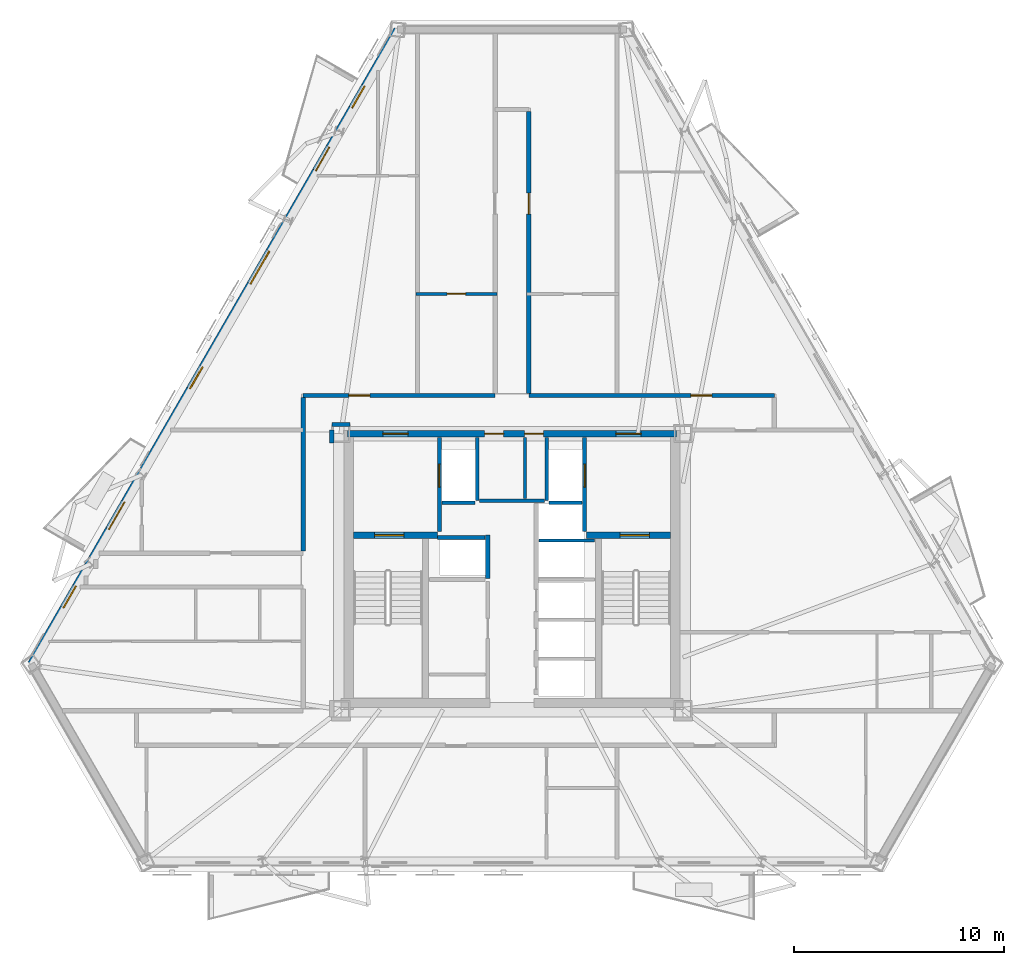
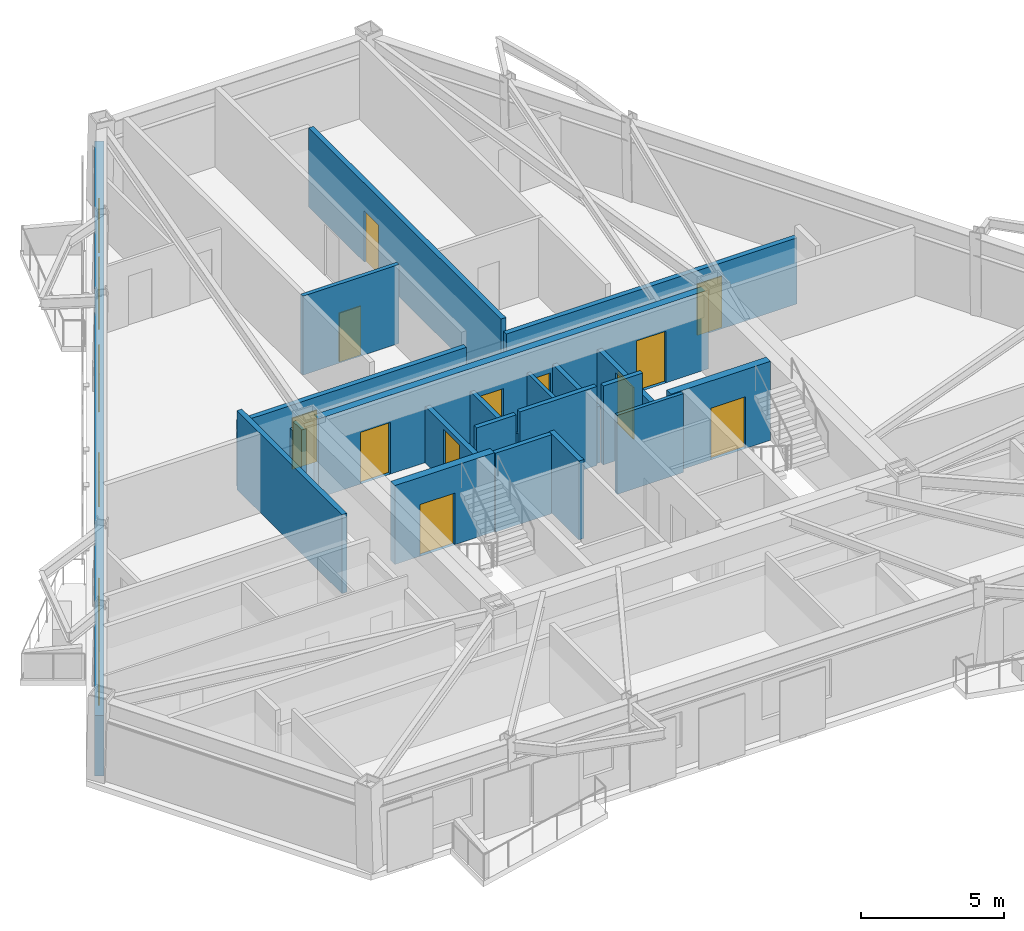
# One storey, part 4 of 9: 22 walls, 14 doors, 4 windows, 18 openings.
"""IFC4 building model written with IfcOpenShell, lengths in metres."""

from ifc_helpers import new_model, si_unit, direction, frame, frame_2d, origin, place, context, subcontext, project, spatial, rectangle, extrude, material, layer, layer_set, type_object, element, fill, save


model = new_model("IFC4")

# Units and contexts
model_context = context("Model", 3, precision=1e-05, world=origin(), true_north=direction((0.0, 1.0)))
body_context = subcontext(model_context, "Body", "Model", "MODEL_VIEW")
ifc_project = project(units=[si_unit("LENGTHUNIT", "METRE"), si_unit("AREAUNIT", "SQUARE_METRE"), si_unit("VOLUMEUNIT", "CUBIC_METRE"), si_unit("PLANEANGLEUNIT", "RADIAN"), si_unit("MASSUNIT", "GRAM", prefix="KILO")], contexts=[model_context])

# Site, building, storey
site_placement = place(None, origin())
site = spatial("IfcSite", under=ifc_project, at=site_placement, CompositionType="ELEMENT")
building_placement = place(site_placement, origin())
building = spatial("IfcBuilding", under=site, at=building_placement, Name="Oramaril Tower", CompositionType="ELEMENT")
storey_placement = place(building_placement, frame((0.0, 0.0, 119.39990234375)))
storey = spatial("IfcBuildingStorey", under=building, at=storey_placement, Name="L31", CompositionType="ELEMENT", Elevation=119.39990234375)

# Wall, openings, doors, windows
ifc_material_1 = material(Name="Warm Cream Limestone", Category="masonry")
ifc_layer_1 = layer(ifc_material_1, 0.340087890625)
ifc_layer_set_1 = layer_set([ifc_layer_1], Name="WT-EXT34")
wall_type_1 = type_object("IfcWallType", Name="WT-EXT34", PredefinedType="SOLIDWALL", material=ifc_layer_set_1)
wall_1_placement = place(storey_placement, frame((32.033935546875, 43.40625, 0.0), z_axis=(0.0, 0.0, 1.0), x_axis=(-0.499998569178, -0.866026229868, 0.0)))
wall_1 = element("IfcWall", 1, at=wall_1_placement, inside=storey, type_object=wall_type_1, Name="L31 Tower Limestone Facade Wall 6M", PredefinedType="SOLIDWALL", context=body_context, shape_type="SweptSolid", body=[
    extrude(rectangle(XDim=34.9013671875, YDim=0.340087890625, at=frame_2d((17.45068359375, 0.0))), origin(), (0.0, 0.0, 1.0), 2.578125),
])
opening_1_placement = place(wall_1_placement, frame((6.469482421875, 0.0, 0.0)))
opening_1 = element("IfcOpeningElement", 2, at=opening_1_placement, cuts=wall_1, Name="Opening D-L31-BAL-NW1", PredefinedType="OPENING", context=body_context, shape_type="SweptSolid", body=[
    extrude(rectangle(XDim=1.300048828125, YDim=2.199951171875, at=frame_2d((0.64990234375, 1.10009765625))), frame((0.0, 0.169921875, 0.0), z_axis=(0.0, -1.0, 0.0), x_axis=(1.0, 0.0, 0.0)), (0.0, 0.0, 1.0), 0.340087890625),
])
opening_2_placement = place(wall_1_placement, frame((25.9970703125, 0.0, 0.0)))
opening_2 = element("IfcOpeningElement", 3, at=opening_2_placement, cuts=wall_1, Name="Opening D-L31-BAL-NW2", PredefinedType="OPENING", context=body_context, shape_type="SweptSolid", body=[
    extrude(rectangle(XDim=1.5, YDim=2.199951171875, at=frame_2d((0.75, 1.10009765625))), frame((0.0, 0.169921875, 0.0), z_axis=(0.0, -1.0, 0.0), x_axis=(1.0, 0.0, 0.0)), (0.0, 0.0, 1.0), 0.340087890625),
])
opening_3_placement = place(wall_1_placement, frame((12.195068359375, 0.0, 0.85009765625)))
opening_3 = element("IfcOpeningElement", 4, at=opening_3_placement, cuts=wall_1, Name="Opening WN-06", PredefinedType="OPENING", context=body_context, shape_type="SweptSolid", body=[
    extrude(rectangle(XDim=1.800048828125, YDim=1.617919921875, at=frame_2d((0.89990234375, 0.80908203125))), frame((0.0, 0.169921875, 0.0), z_axis=(0.0, -1.0, 0.0), x_axis=(1.0, 0.0, 0.0)), (0.0, 0.0, 1.0), 0.340087890625),
])
opening_4_placement = place(wall_1_placement, frame((18.556884765625, 0.0, 0.85009765625)))
opening_4 = element("IfcOpeningElement", 5, at=opening_4_placement, cuts=wall_1, Name="Opening WN-09", PredefinedType="OPENING", context=body_context, shape_type="SweptSolid", body=[
    extrude(rectangle(XDim=1.199951171875, YDim=1.47998046875, at=frame_2d((0.60009765625, 0.739990234375))), frame((0.0, 0.169921875, 0.0), z_axis=(0.0, -1.0, 0.0), x_axis=(1.0, 0.0, 0.0)), (0.0, 0.0, 1.0), 0.340087890625),
])
opening_5_placement = place(wall_1_placement, frame((3.1083984375, 0.0, 0.85009765625)))
opening_5 = element("IfcOpeningElement", 6, at=opening_5_placement, cuts=wall_1, Name="Opening WN-09", PredefinedType="OPENING", context=body_context, shape_type="SweptSolid", body=[
    extrude(rectangle(XDim=1.199951171875, YDim=1.47998046875, at=frame_2d((0.60009765625, 0.739990234375))), frame((0.0, 0.169921875, 0.0), z_axis=(0.0, -1.0, 0.0), x_axis=(1.0, 0.0, 0.0)), (0.0, 0.0, 1.0), 0.340087890625),
])
opening_6_placement = place(wall_1_placement, frame((30.6259765625, 0.0, 0.85009765625)))
opening_6 = element("IfcOpeningElement", 7, at=opening_6_placement, cuts=wall_1, Name="Opening WN-09", PredefinedType="OPENING", context=body_context, shape_type="SweptSolid", body=[
    extrude(rectangle(XDim=1.199951171875, YDim=1.47998046875, at=frame_2d((0.60009765625, 0.739990234375))), frame((0.0, 0.169921875, 0.0), z_axis=(0.0, -1.0, 0.0), x_axis=(1.0, 0.0, 0.0)), (0.0, 0.0, 1.0), 0.340087890625),
])
ifc_material_2 = material(Name="Anodised Aluminium 6063-T6", Category="aluminium")
door_type_1 = type_object("IfcDoorType", Name="DT-BAL", OperationType="NOTDEFINED", PredefinedType="DOOR", material=ifc_material_2)
door_1_placement = place(opening_2_placement, origin())
door_1 = element("IfcDoor", 8, at=door_1_placement, inside=storey, type_object=door_type_1, Name="L31 Balcony Glazed Door L31-BAL-NW2", OperationType="SINGLE_SWING_LEFT", OverallHeight=2.199951171875, OverallWidth=1.5, PredefinedType="DOOR", context=body_context, shape_type="SweptSolid", body=[
    extrude(rectangle(XDim=1.5, YDim=2.199951171875, at=frame_2d((0.75, 1.10009765625))), frame((0.0, 0.02490234375, 0.0), z_axis=(0.0, -1.0, 0.0), x_axis=(1.0, 0.0, 0.0)), (0.0, 0.0, 1.0), 0.050048828125),
])
fill(opening_2, door_1)
ifc_material_3 = material(Name="Anodised Aluminium 6063-T6", Category="aluminium")
door_type_2 = type_object("IfcDoorType", Name="DT-E2", OperationType="NOTDEFINED", PredefinedType="DOOR", material=ifc_material_3)
door_2_placement = place(opening_1_placement, origin())
door_2 = element("IfcDoor", 9, at=door_2_placement, inside=storey, type_object=door_type_2, Name="L31 Balcony Glazed Door L31-BAL-NW1", OperationType="SINGLE_SWING_RIGHT", OverallHeight=2.199951171875, OverallWidth=1.300048828125, PredefinedType="DOOR", context=body_context, shape_type="SweptSolid", body=[
    extrude(rectangle(XDim=1.300048828125, YDim=2.199951171875, at=frame_2d((0.64990234375, 1.10009765625))), frame((0.0, 0.02490234375, 0.0), z_axis=(0.0, -1.0, 0.0), x_axis=(1.0, 0.0, 0.0)), (0.0, 0.0, 1.0), 0.050048828125),
])
fill(opening_1, door_2)
ifc_material_4 = material(Name="Coastal Low-E Insulated Glass", Category="glass")
window_type_1 = type_object("IfcWindowType", Name="WNT-06", PartitioningType="SINGLE_PANEL", PredefinedType="WINDOW", material=ifc_material_4)
window_1_placement = place(opening_3_placement, origin())
window_1 = element("IfcWindow", 10, at=window_1_placement, inside=storey, type_object=window_type_1, Name="L31 Chicago Bay Window WN-06", OverallHeight=1.617919921875, OverallWidth=1.800048828125, PartitioningType="SINGLE_PANEL", PredefinedType="WINDOW", context=body_context, shape_type="SweptSolid", body=[
    extrude(rectangle(XDim=1.800048828125, YDim=1.617919921875, at=frame_2d((0.89990234375, 0.80908203125))), frame((0.0, 0.030029296875, 0.0), z_axis=(0.0, -1.0, 0.0), x_axis=(1.0, 0.0, 0.0)), (0.0, 0.0, 1.0), 0.06005859375),
])
fill(opening_3, window_1)
ifc_material_5 = material(Name="Coastal Low-E Insulated Glass", Category="glass")
window_type_2 = type_object("IfcWindowType", Name="WNT-09", PartitioningType="SINGLE_PANEL", PredefinedType="WINDOW", material=ifc_material_5)
window_2_placement = place(opening_4_placement, origin())
window_2 = element("IfcWindow", 11, at=window_2_placement, inside=storey, type_object=window_type_2, Name="L31 Chicago Bay Window WN-09", OverallHeight=1.47998046875, OverallWidth=1.199951171875, PartitioningType="SINGLE_PANEL", PredefinedType="WINDOW", context=body_context, shape_type="SweptSolid", body=[
    extrude(rectangle(XDim=1.199951171875, YDim=1.47998046875, at=frame_2d((0.60009765625, 0.739990234375))), frame((0.0, 0.030029296875, 0.0), z_axis=(0.0, -1.0, 0.0), x_axis=(1.0, 0.0, 0.0)), (0.0, 0.0, 1.0), 0.06005859375),
])
fill(opening_4, window_2)
window_3_placement = place(opening_5_placement, origin())
window_3 = element("IfcWindow", 12, at=window_3_placement, inside=storey, type_object=window_type_2, Name="L31 Chicago Bay Window WN-09", OverallHeight=1.47998046875, OverallWidth=1.199951171875, PartitioningType="SINGLE_PANEL", PredefinedType="WINDOW", context=body_context, shape_type="SweptSolid", body=[
    extrude(rectangle(XDim=1.199951171875, YDim=1.47998046875, at=frame_2d((0.60009765625, 0.739990234375))), frame((0.0, 0.030029296875, 0.0), z_axis=(0.0, -1.0, 0.0), x_axis=(1.0, 0.0, 0.0)), (0.0, 0.0, 1.0), 0.06005859375),
])
fill(opening_5, window_3)
window_4_placement = place(opening_6_placement, origin())
window_4 = element("IfcWindow", 13, at=window_4_placement, inside=storey, type_object=window_type_2, Name="L31 Apartment Bedroom Window WN-09", OverallHeight=1.47998046875, OverallWidth=1.199951171875, PartitioningType="SINGLE_PANEL", PredefinedType="WINDOW", context=body_context, shape_type="SweptSolid", body=[
    extrude(rectangle(XDim=1.199951171875, YDim=1.47998046875, at=frame_2d((0.60009765625, 0.739990234375))), frame((0.0, 0.030029296875, 0.0), z_axis=(0.0, -1.0, 0.0), x_axis=(1.0, 0.0, 0.0)), (0.0, 0.0, 1.0), 0.06005859375),
])
fill(opening_6, window_4)

# Walls
ifc_material_6 = material(Name="Acoustic Gypsum Board Partition")
ifc_layer_2 = layer(ifc_material_6, 0.139892578125)
ifc_layer_set_2 = layer_set([ifc_layer_2], Name="WT-PT14")
wall_type_2 = type_object("IfcWallType", Name="WT-PT14", PredefinedType="PARTITIONING", material=ifc_layer_set_2)
wall_2_placement = place(storey_placement, frame((38.780029296875, 19.050048828125, 0.0), z_axis=(0.0, 0.0, 1.0), x_axis=(1.0, 0.0, 0.0)))
element("IfcWall", 14, at=wall_2_placement, inside=storey, type_object=wall_type_2, Name="L31 East Lift Divider", PredefinedType="PARTITIONING", context=body_context, shape_type="SweptSolid", body=[
    extrude(rectangle(XDim=2.659912109375, YDim=0.139892578125, at=frame_2d((1.330078125, 0.0))), origin(), (0.0, 0.0, 1.0), 3.360107421875),
])
wall_3_placement = place(storey_placement, frame((38.110107421875, 21.06005859375, 0.0), z_axis=(0.0, 0.0, 1.0), x_axis=(0.0, 1.0, 0.0)))
element("IfcWall", 15, at=wall_3_placement, inside=storey, type_object=wall_type_2, Name="L31 Core Service Divider", PredefinedType="PARTITIONING", context=body_context, shape_type="SweptSolid", body=[
    extrude(rectangle(XDim=2.919921875, YDim=0.139892578125, at=frame_2d((1.4599609375, 0.0))), origin(), (0.0, 0.0, 1.0), 2.400146484375),
])

# Wall, opening, door
ifc_material_7 = material(Name="Acoustic Gypsum Board Partition")
ifc_layer_3 = layer(ifc_material_7, 0.159912109375)
ifc_layer_set_3 = layer_set([ifc_layer_3], Name="WT-PT16")
wall_type_3 = type_object("IfcWallType", Name="WT-PT16", PredefinedType="PARTITIONING", material=ifc_layer_set_3)
wall_4_placement = place(storey_placement, frame((32.91796875, 30.81005859375, 0.0), z_axis=(0.0, 0.0, 1.0), x_axis=(1.0, 0.0, 0.0)))
wall_4 = element("IfcWall", 16, at=wall_4_placement, inside=storey, type_object=wall_type_3, Name="L31 Interior Partition PT-16", PredefinedType="PARTITIONING", context=body_context, shape_type="SweptSolid", body=[
    extrude(rectangle(XDim=3.864013671875, YDim=0.159912109375, at=frame_2d((1.93212890625, 0.0))), origin(), (0.0, 0.0, 1.0), 3.360107421875),
])
opening_7_placement = place(wall_4_placement, frame((1.491943359375, 0.0, 0.0)))
opening_7 = element("IfcOpeningElement", 17, at=opening_7_placement, cuts=wall_4, Name="Opening D-L31-15", PredefinedType="OPENING", context=body_context, shape_type="SweptSolid", body=[
    extrude(rectangle(XDim=0.8798828125, YDim=2.080078125, at=frame_2d((0.43994140625, 1.0400390625))), frame((0.0, 0.080078125, 0.0), z_axis=(0.0, -1.0, 0.0), x_axis=(1.0, 0.0, 0.0)), (0.0, 0.0, 1.0), 0.159912109375),
])
ifc_material_8 = material(Name="FSC Brazilian Freijo Hardwood", Category="wood")
door_type_3 = type_object("IfcDoorType", Name="DT-BATH", OperationType="NOTDEFINED", PredefinedType="DOOR", material=ifc_material_8)
door_3_placement = place(opening_7_placement, origin())
door_3 = element("IfcDoor", 18, at=door_3_placement, inside=storey, type_object=door_type_3, Name="L31 Flat L31-U8 Bathroom Door D-L31-15", OperationType="SINGLE_SWING_LEFT", OverallHeight=2.080078125, OverallWidth=0.8798828125, PredefinedType="DOOR", context=body_context, shape_type="SweptSolid", body=[
    extrude(rectangle(XDim=0.8798828125, YDim=2.080078125, at=frame_2d((0.43994140625, 1.0400390625))), frame((0.0, 0.02490234375, 0.0), z_axis=(0.0, -1.0, 0.0), x_axis=(1.0, 0.0, 0.0)), (0.0, 0.0, 1.0), 0.050048828125),
])
fill(opening_7, door_3)

# Walls
ifc_material_9 = material(Name="Autoclaved Cellular Concrete Block", Category="concrete")
ifc_layer_4 = layer(ifc_material_9, 0.179931640625)
ifc_layer_set_4 = layer_set([ifc_layer_4], Name="WT-PT18")
wall_type_4 = type_object("IfcWallType", Name="WT-PT18", PredefinedType="PARTITIONING", material=ifc_layer_set_4)
wall_5_placement = place(storey_placement, frame((35.840087890625, 20.9599609375, 0.0), z_axis=(0.0, 0.0, 1.0), x_axis=(0.0, 1.0, 0.0)))
element("IfcWall", 19, at=wall_5_placement, inside=storey, type_object=wall_type_4, Name="L31 FL-1 East Shaft Wall", PredefinedType="PARTITIONING", context=body_context, shape_type="SweptSolid", body=[
    extrude(rectangle(XDim=3.02001953125, YDim=0.179931640625, at=frame_2d((1.510009765625, 0.0))), origin(), (0.0, 0.0, 1.0), 2.400146484375),
])
wall_6_placement = place(storey_placement, frame((34.159912109375, 20.860107421875, 0.0), z_axis=(0.0, 0.0, 1.0), x_axis=(1.0, 0.0, 0.0)))
element("IfcWall", 20, at=wall_6_placement, inside=storey, type_object=wall_type_4, Name="L31 FL-1 South Shaft Wall", PredefinedType="PARTITIONING", context=body_context, shape_type="SweptSolid", body=[
    extrude(rectangle(XDim=1.580078125, YDim=0.179931640625, at=frame_2d((0.7900390625, 0.0))), origin(), (0.0, 0.0, 1.0), 3.360107421875),
])
wall_7_placement = place(storey_placement, frame((39.159912109375, 20.9599609375, 0.0), z_axis=(0.0, 0.0, 1.0), x_axis=(0.0, 1.0, 0.0)))
element("IfcWall", 21, at=wall_7_placement, inside=storey, type_object=wall_type_4, Name="L31 FL-2 West Shaft Wall", PredefinedType="PARTITIONING", context=body_context, shape_type="SweptSolid", body=[
    extrude(rectangle(XDim=3.02001953125, YDim=0.179931640625, at=frame_2d((1.510009765625, 0.0))), origin(), (0.0, 0.0, 1.0), 2.400146484375),
])
wall_8_placement = place(storey_placement, frame((39.260009765625, 20.860107421875, 0.0), z_axis=(0.0, 0.0, 1.0), x_axis=(1.0, 0.0, 0.0)))
element("IfcWall", 22, at=wall_8_placement, inside=storey, type_object=wall_type_4, Name="L31 FL-2 South Shaft Wall", PredefinedType="PARTITIONING", context=body_context, shape_type="SweptSolid", body=[
    extrude(rectangle(XDim=1.580078125, YDim=0.179931640625, at=frame_2d((0.7900390625, 0.0))), origin(), (0.0, 0.0, 1.0), 3.360107421875),
])
wall_9_placement = place(storey_placement, frame((33.949951171875, 19.199951171875, 0.0), z_axis=(0.0, 0.0, 1.0), x_axis=(1.0, 0.0, 0.0)))
element("IfcWall", 23, at=wall_9_placement, inside=storey, type_object=wall_type_4, Name="L31 High-Rise Lift H1 North Shaft Wall", PredefinedType="PARTITIONING", context=body_context, shape_type="SweptSolid", body=[
    extrude(rectangle(XDim=2.27001953125, YDim=0.179931640625, at=frame_2d((1.135009765625, 0.0))), origin(), (0.0, 0.0, 1.0), 3.360107421875),
])
wall_10_placement = place(storey_placement, frame((35.949951171875, 20.949951171875, 0.0), z_axis=(0.0, 0.0, 1.0), x_axis=(1.0, 0.0, 0.0)))
element("IfcWall", 24, at=wall_10_placement, inside=storey, type_object=wall_type_4, Name="L31 Lift Lobby North Partition", PredefinedType="PARTITIONING", context=body_context, shape_type="SweptSolid", body=[
    extrude(rectangle(XDim=3.10009765625, YDim=0.179931640625, at=frame_2d((1.550048828125, 0.0))), origin(), (0.0, 0.0, 1.0), 3.360107421875),
])
ifc_material_10 = material(Name="Autoclaved Cellular Concrete Block", Category="concrete")
ifc_layer_5 = layer(ifc_material_10, 0.199951171875)
ifc_layer_set_5 = layer_set([ifc_layer_5], Name="WT-PT20")
wall_type_5 = type_object("IfcWallType", Name="WT-PT20", PredefinedType="PARTITIONING", material=ifc_layer_set_5)
wall_11_placement = place(storey_placement, frame((28.909912109375, 24.590087890625, 0.0), z_axis=(0.0, 0.0, 1.0), x_axis=(1.0, 0.0, 0.0)))
element("IfcWall", 25, at=wall_11_placement, inside=storey, type_object=wall_type_5, Name="L31 Interior Partition PT-20", PredefinedType="PARTITIONING", context=body_context, shape_type="SweptSolid", body=[
    extrude(rectangle(XDim=0.880126953125, YDim=0.199951171875, at=frame_2d((0.43994140625, 0.0))), origin(), (0.0, 0.0, 1.0), 2.814208984375),
])

# Wall, opening, door
wall_12_placement = place(storey_placement, frame((27.550048828125, 25.969970703125, 0.0), z_axis=(0.0, 0.0, 1.0), x_axis=(1.0, 0.0, 0.0)))
wall_12 = element("IfcWall", 26, at=wall_12_placement, inside=storey, type_object=wall_type_5, Name="L31 Interior Partition PT-20", PredefinedType="PARTITIONING", context=body_context, shape_type="SweptSolid", body=[
    extrude(rectangle(XDim=9.14990234375, YDim=0.199951171875, at=frame_2d((4.574951171875, 0.0))), origin(), (0.0, 0.0, 1.0), 2.814208984375),
])
opening_8_placement = place(wall_12_placement, frame((2.17333984375, 0.0, 0.0)))
opening_8 = element("IfcOpeningElement", 27, at=opening_8_placement, cuts=wall_12, Name="Opening D-L31-13", PredefinedType="OPENING", context=body_context, shape_type="SweptSolid", body=[
    extrude(rectangle(XDim=1.0, YDim=2.179931640625, at=frame_2d((0.5, 1.08984375))), frame((0.0, 0.10009765625, 0.0), z_axis=(0.0, -1.0, 0.0), x_axis=(1.0, 0.0, 0.0)), (0.0, 0.0, 1.0), 0.199951171875),
])
ifc_material_11 = material(Name="FSC Brazilian Freijo Hardwood", Category="wood")
door_type_4 = type_object("IfcDoorType", Name="DT-APT", OperationType="NOTDEFINED", PredefinedType="DOOR", material=ifc_material_11)
door_4_placement = place(opening_8_placement, origin())
door_4 = element("IfcDoor", 28, at=door_4_placement, inside=storey, type_object=door_type_4, Name="L31 Flat L31-U7 Studio Apartment Door D-L31-13", OperationType="SINGLE_SWING_LEFT", OverallHeight=2.179931640625, OverallWidth=1.0, PredefinedType="DOOR", context=body_context, shape_type="SweptSolid", body=[
    extrude(rectangle(XDim=1.0, YDim=2.179931640625, at=frame_2d((0.5, 1.08984375))), frame((0.0, 0.02490234375, 0.0), z_axis=(0.0, -1.0, 0.0), x_axis=(1.0, 0.0, 0.0)), (0.0, 0.0, 1.0), 0.050048828125),
])
fill(opening_8, door_4)

wall_13_placement = place(storey_placement, frame((38.300048828125, 25.969970703125, 0.0), z_axis=(0.0, 0.0, 1.0), x_axis=(1.0, 0.0, 0.0)))
wall_13 = element("IfcWall", 29, at=wall_13_placement, inside=storey, type_object=wall_type_5, Name="L31 Interior Partition PT-20", PredefinedType="PARTITIONING", context=body_context, shape_type="SweptSolid", body=[
    extrude(rectangle(XDim=11.699951171875, YDim=0.199951171875, at=frame_2d((5.85009765625, 0.0))), origin(), (0.0, 0.0, 1.0), 2.814208984375),
])
opening_9_placement = place(wall_13_placement, frame((7.727294921875, 0.0, 0.0)))
opening_9 = element("IfcOpeningElement", 30, at=opening_9_placement, cuts=wall_13, Name="Opening D-L31-14", PredefinedType="OPENING", context=body_context, shape_type="SweptSolid", body=[
    extrude(rectangle(XDim=1.0, YDim=2.179931640625, at=frame_2d((0.5, 1.08984375))), frame((0.0, 0.10009765625, 0.0), z_axis=(0.0, -1.0, 0.0), x_axis=(1.0, 0.0, 0.0)), (0.0, 0.0, 1.0), 0.199951171875),
])
door_5_placement = place(opening_9_placement, origin())
door_5 = element("IfcDoor", 31, at=door_5_placement, inside=storey, type_object=door_type_4, Name="L31 Flat L31-U10 Kitchen and Studio Apartment Door D-L31-14", OperationType="SINGLE_SWING_RIGHT", OverallHeight=2.179931640625, OverallWidth=1.0, PredefinedType="DOOR", context=body_context, shape_type="SweptSolid", body=[
    extrude(rectangle(XDim=1.0, YDim=2.179931640625, at=frame_2d((0.5, 1.08984375))), frame((0.0, 0.02490234375, 0.0), z_axis=(0.0, -1.0, 0.0), x_axis=(1.0, 0.0, 0.0)), (0.0, 0.0, 1.0), 0.050048828125),
])
fill(opening_9, door_5)

# Walls
wall_14_placement = place(storey_placement, frame((27.550048828125, 18.553955078125, 0.0), z_axis=(0.0, 0.0, 1.0), x_axis=(0.0, 1.0, 0.0)))
element("IfcWall", 32, at=wall_14_placement, inside=storey, type_object=wall_type_5, Name="L31 Interior Partition PT-20", PredefinedType="PARTITIONING", context=body_context, shape_type="SweptSolid", body=[
    extrude(rectangle(XDim=7.31201171875, YDim=0.199951171875, at=frame_2d((3.656005859375, 0.0))), origin(), (0.0, 0.0, 1.0), 3.360107421875),
])
wall_15_placement = place(storey_placement, frame((28.909912109375, 23.7099609375, 0.0), z_axis=(0.0, 0.0, 1.0), x_axis=(0.0, 1.0, 0.0)))
element("IfcWall", 33, at=wall_15_placement, inside=storey, type_object=wall_type_5, Name="L31 Interior Partition PT-20", PredefinedType="PARTITIONING", context=body_context, shape_type="SweptSolid", body=[
    extrude(rectangle(XDim=0.610107421875, YDim=0.199951171875, at=frame_2d((0.30517578125, 0.0))), origin(), (0.0, 0.0, 1.0), 3.360107421875),
])

# Wall, opening, door
wall_16_placement = place(storey_placement, frame((38.300048828125, 26.073974609375, 0.0), z_axis=(0.0, 0.0, 1.0), x_axis=(0.0, 1.0, 0.0)))
wall_16 = element("IfcWall", 34, at=wall_16_placement, inside=storey, type_object=wall_type_5, Name="L31 Interior Partition PT-20", PredefinedType="PARTITIONING", context=body_context, shape_type="SweptSolid", body=[
    extrude(rectangle(XDim=13.422119140625, YDim=0.199951171875, at=frame_2d((6.7109375, 0.0))), origin(), (0.0, 0.0, 1.0), 3.360107421875),
])
opening_10_placement = place(wall_16_placement, frame((8.535888671875, 0.0, 0.0)))
opening_10 = element("IfcOpeningElement", 35, at=opening_10_placement, cuts=wall_16, Name="Opening D-L31-23", PredefinedType="OPENING", context=body_context, shape_type="SweptSolid", body=[
    extrude(rectangle(XDim=1.0, YDim=2.179931640625, at=frame_2d((0.5, 1.08984375))), frame((0.0, 0.10009765625, 0.0), z_axis=(0.0, -1.0, 0.0), x_axis=(1.0, 0.0, 0.0)), (0.0, 0.0, 1.0), 0.199951171875),
])
door_6_placement = place(opening_10_placement, origin())
door_6 = element("IfcDoor", 36, at=door_6_placement, inside=storey, type_object=door_type_4, Name="L31 Flat L31-U9 Kitchen and Studio Apartment Door D-L31-23", OperationType="SINGLE_SWING_LEFT", OverallHeight=2.179931640625, OverallWidth=1.0, PredefinedType="DOOR", context=body_context, shape_type="SweptSolid", body=[
    extrude(rectangle(XDim=1.0, YDim=2.179931640625, at=frame_2d((0.5, 1.08984375))), frame((0.0, 0.02490234375, 0.0), z_axis=(0.0, -1.0, 0.0), x_axis=(1.0, 0.0, 0.0)), (0.0, 0.0, 1.0), 0.050048828125),
])
fill(opening_10, door_6)

# Wall, openings, doors
ifc_material_12 = material(Name="Concrete C50/60", Category="concrete")
ifc_layer_6 = layer(ifc_material_12, 0.300048828125)
ifc_layer_set_6 = layer_set([ifc_layer_6], Name="WT-SH30")
wall_type_6 = type_object("IfcWallType", Name="WT-SH30", PredefinedType="SHEAR", material=ifc_layer_set_6)
wall_17_placement = place(storey_placement, frame((29.64990234375, 24.14990234375, 0.0), z_axis=(0.0, 0.0, 1.0), x_axis=(1.0, 0.0, 0.0)))
wall_17 = element("IfcWall", 37, at=wall_17_placement, inside=storey, type_object=wall_type_6, Name="L31 Core Shear Wall CW-N", PredefinedType="SHEAR", context=body_context, shape_type="SweptSolid", body=[
    extrude(rectangle(XDim=15.7001953125, YDim=0.300048828125, at=frame_2d((7.85009765625, 0.0))), origin(), (0.0, 0.0, 1.0), 3.360107421875),
])
opening_11_placement = place(wall_17_placement, frame((1.699951171875, 0.0, 0.0)))
opening_11 = element("IfcOpeningElement", 38, at=opening_11_placement, cuts=wall_17, Name="Opening D-L31-FFL1", PredefinedType="OPENING", context=body_context, shape_type="SweptSolid", body=[
    extrude(rectangle(XDim=1.199951171875, YDim=2.199951171875, at=frame_2d((0.60009765625, 1.10009765625))), frame((0.0, 0.14990234375, 0.0), z_axis=(0.0, -1.0, 0.0), x_axis=(1.0, 0.0, 0.0)), (0.0, 0.0, 1.0), 0.300048828125),
])
opening_12_placement = place(wall_17_placement, frame((12.800048828125, 0.0, 0.0)))
opening_12 = element("IfcOpeningElement", 39, at=opening_12_placement, cuts=wall_17, Name="Opening D-L31-FFL2", PredefinedType="OPENING", context=body_context, shape_type="SweptSolid", body=[
    extrude(rectangle(XDim=1.199951171875, YDim=2.199951171875, at=frame_2d((0.60009765625, 1.10009765625))), frame((0.0, 0.14990234375, 0.0), z_axis=(0.0, -1.0, 0.0), x_axis=(1.0, 0.0, 0.0)), (0.0, 0.0, 1.0), 0.300048828125),
])
opening_13_placement = place(wall_17_placement, frame((6.550048828125, 0.0, 0.0)))
opening_13 = element("IfcOpeningElement", 40, at=opening_13_placement, cuts=wall_17, Name="Opening D-L31-SV1", PredefinedType="OPENING", context=body_context, shape_type="SweptSolid", body=[
    extrude(rectangle(XDim=0.89990234375, YDim=2.050048828125, at=frame_2d((0.449951171875, 1.02490234375))), frame((0.0, 0.14990234375, 0.0), z_axis=(0.0, -1.0, 0.0), x_axis=(1.0, 0.0, 0.0)), (0.0, 0.0, 1.0), 0.300048828125),
])
opening_14_placement = place(wall_17_placement, frame((8.449951171875, 0.0, 0.0)))
opening_14 = element("IfcOpeningElement", 41, at=opening_14_placement, cuts=wall_17, Name="Opening D-L31-SV2", PredefinedType="OPENING", context=body_context, shape_type="SweptSolid", body=[
    extrude(rectangle(XDim=0.89990234375, YDim=2.050048828125, at=frame_2d((0.449951171875, 1.02490234375))), frame((0.0, 0.14990234375, 0.0), z_axis=(0.0, -1.0, 0.0), x_axis=(1.0, 0.0, 0.0)), (0.0, 0.0, 1.0), 0.300048828125),
])
ifc_material_13 = material(Name="Painted Galvanised Steel", Category="steel")
door_type_5 = type_object("IfcDoorType", Name="DT-FFL", OperationType="NOTDEFINED", PredefinedType="DOOR", material=ifc_material_13)
door_7_placement = place(opening_11_placement, origin())
door_7 = element("IfcDoor", 42, at=door_7_placement, inside=storey, type_object=door_type_5, Name="L31 Firefighting Lobby 1 Fire Door", OperationType="SINGLE_SWING_LEFT", OverallHeight=2.199951171875, OverallWidth=1.199951171875, PredefinedType="DOOR", context=body_context, shape_type="SweptSolid", body=[
    extrude(rectangle(XDim=1.199951171875, YDim=2.199951171875, at=frame_2d((0.60009765625, 1.10009765625))), frame((0.0, 0.02490234375, 0.0), z_axis=(0.0, -1.0, 0.0), x_axis=(1.0, 0.0, 0.0)), (0.0, 0.0, 1.0), 0.050048828125),
])
fill(opening_11, door_7)
door_8_placement = place(opening_12_placement, origin())
door_8 = element("IfcDoor", 43, at=door_8_placement, inside=storey, type_object=door_type_5, Name="L31 Firefighting Lobby 2 Fire Door", OperationType="SINGLE_SWING_RIGHT", OverallHeight=2.199951171875, OverallWidth=1.199951171875, PredefinedType="DOOR", context=body_context, shape_type="SweptSolid", body=[
    extrude(rectangle(XDim=1.199951171875, YDim=2.199951171875, at=frame_2d((0.60009765625, 1.10009765625))), frame((0.0, 0.02490234375, 0.0), z_axis=(0.0, -1.0, 0.0), x_axis=(1.0, 0.0, 0.0)), (0.0, 0.0, 1.0), 0.050048828125),
])
fill(opening_12, door_8)
ifc_material_14 = material(Name="Painted Galvanised Steel", Category="steel")
door_type_6 = type_object("IfcDoorType", Name="DT-SVC", OperationType="NOTDEFINED", PredefinedType="DOOR", material=ifc_material_14)
door_9_placement = place(opening_13_placement, origin())
door_9 = element("IfcDoor", 44, at=door_9_placement, inside=storey, type_object=door_type_6, Name="L31 Core Service Store 1 Door", OperationType="SINGLE_SWING_LEFT", OverallHeight=2.050048828125, OverallWidth=0.89990234375, PredefinedType="DOOR", context=body_context, shape_type="SweptSolid", body=[
    extrude(rectangle(XDim=0.89990234375, YDim=2.050048828125, at=frame_2d((0.449951171875, 1.02490234375))), frame((0.0, 0.02490234375, 0.0), z_axis=(0.0, -1.0, 0.0), x_axis=(1.0, 0.0, 0.0)), (0.0, 0.0, 1.0), 0.050048828125),
])
fill(opening_13, door_9)
door_10_placement = place(opening_14_placement, origin())
door_10 = element("IfcDoor", 45, at=door_10_placement, inside=storey, type_object=door_type_6, Name="L31 Core Service Store 2 Door", OperationType="SINGLE_SWING_RIGHT", OverallHeight=2.050048828125, OverallWidth=0.89990234375, PredefinedType="DOOR", context=body_context, shape_type="SweptSolid", body=[
    extrude(rectangle(XDim=0.89990234375, YDim=2.050048828125, at=frame_2d((0.449951171875, 1.02490234375))), frame((0.0, 0.02490234375, 0.0), z_axis=(0.0, -1.0, 0.0), x_axis=(1.0, 0.0, 0.0)), (0.0, 0.0, 1.0), 0.050048828125),
])
fill(opening_14, door_10)

# Wall, opening, door
wall_18_placement = place(storey_placement, frame((29.93994140625, 19.31005859375, 0.0), z_axis=(0.0, 0.0, 1.0), x_axis=(1.0, 0.0, 0.0)))
wall_18 = element("IfcWall", 46, at=wall_18_placement, inside=storey, type_object=wall_type_6, Name="L31 Core Shear Wall CW-ST1N", PredefinedType="SHEAR", context=body_context, shape_type="SweptSolid", body=[
    extrude(rectangle(XDim=4.010009765625, YDim=0.300048828125, at=frame_2d((2.0048828125, 0.0))), origin(), (0.0, 0.0, 1.0), 3.360107421875),
])
opening_15_placement = place(wall_18_placement, frame((1.010009765625, 0.0, 0.0)))
opening_15 = element("IfcOpeningElement", 47, at=opening_15_placement, cuts=wall_18, Name="Opening D-L31-ST1", PredefinedType="OPENING", context=body_context, shape_type="SweptSolid", body=[
    extrude(rectangle(XDim=1.39990234375, YDim=2.199951171875, at=frame_2d((0.699951171875, 1.10009765625))), frame((0.0, 0.14990234375, 0.0), z_axis=(0.0, -1.0, 0.0), x_axis=(1.0, 0.0, 0.0)), (0.0, 0.0, 1.0), 0.300048828125),
])
ifc_material_15 = material(Name="Painted Galvanised Steel", Category="steel")
door_type_7 = type_object("IfcDoorType", Name="DT-ST", OperationType="NOTDEFINED", PredefinedType="DOOR", material=ifc_material_15)
door_11_placement = place(opening_15_placement, origin())
door_11 = element("IfcDoor", 48, at=door_11_placement, inside=storey, type_object=door_type_7, Name="L31 Protected Stair ST-1 Fire Door", OperationType="SINGLE_SWING_LEFT", OverallHeight=2.199951171875, OverallWidth=1.39990234375, PredefinedType="DOOR", context=body_context, shape_type="SweptSolid", body=[
    extrude(rectangle(XDim=1.39990234375, YDim=2.199951171875, at=frame_2d((0.699951171875, 1.10009765625))), frame((0.0, 0.02490234375, 0.0), z_axis=(0.0, -1.0, 0.0), x_axis=(1.0, 0.0, 0.0)), (0.0, 0.0, 1.0), 0.050048828125),
])
fill(opening_15, door_11)

wall_19_placement = place(storey_placement, frame((41.050048828125, 19.31005859375, 0.0), z_axis=(0.0, 0.0, 1.0), x_axis=(1.0, 0.0, 0.0)))
wall_19 = element("IfcWall", 49, at=wall_19_placement, inside=storey, type_object=wall_type_6, Name="L31 Core Shear Wall CW-ST2N", PredefinedType="SHEAR", context=body_context, shape_type="SweptSolid", body=[
    extrude(rectangle(XDim=4.010009765625, YDim=0.300048828125, at=frame_2d((2.0048828125, 0.0))), origin(), (0.0, 0.0, 1.0), 3.360107421875),
])
opening_16_placement = place(wall_19_placement, frame((1.60009765625, 0.0, 0.0)))
opening_16 = element("IfcOpeningElement", 50, at=opening_16_placement, cuts=wall_19, Name="Opening D-L31-ST2", PredefinedType="OPENING", context=body_context, shape_type="SweptSolid", body=[
    extrude(rectangle(XDim=1.39990234375, YDim=2.199951171875, at=frame_2d((0.699951171875, 1.10009765625))), frame((0.0, 0.14990234375, 0.0), z_axis=(0.0, -1.0, 0.0), x_axis=(1.0, 0.0, 0.0)), (0.0, 0.0, 1.0), 0.300048828125),
])
door_12_placement = place(opening_16_placement, origin())
door_12 = element("IfcDoor", 51, at=door_12_placement, inside=storey, type_object=door_type_7, Name="L31 Protected Stair ST-2 Fire Door", OperationType="SINGLE_SWING_RIGHT", OverallHeight=2.199951171875, OverallWidth=1.39990234375, PredefinedType="DOOR", context=body_context, shape_type="SweptSolid", body=[
    extrude(rectangle(XDim=1.39990234375, YDim=2.199951171875, at=frame_2d((0.699951171875, 1.10009765625))), frame((0.0, 0.02490234375, 0.0), z_axis=(0.0, -1.0, 0.0), x_axis=(1.0, 0.0, 0.0)), (0.0, 0.0, 1.0), 0.050048828125),
])
fill(opening_16, door_12)

ifc_material_16 = material(Name="Autoclaved Cellular Concrete Block", Category="concrete")
ifc_layer_7 = layer(ifc_material_16, 0.199951171875)
ifc_layer_set_7 = layer_set([ifc_layer_7], Name="WT-SHF20")
wall_type_7 = type_object("IfcWallType", Name="WT-SHF20", PredefinedType="PARTITIONING", material=ifc_layer_set_7)
wall_20_placement = place(storey_placement, frame((34.0400390625, 19.47998046875, 0.0), z_axis=(0.0, 0.0, 1.0), x_axis=(0.0, 1.0, 0.0)))
wall_20 = element("IfcWall", 52, at=wall_20_placement, inside=storey, type_object=wall_type_7, Name="L31 FL-1 Lobby Shaft Wall", PredefinedType="PARTITIONING", context=body_context, shape_type="SweptSolid", body=[
    extrude(rectangle(XDim=4.5, YDim=0.199951171875, at=frame_2d((2.25, 0.0))), origin(), (0.0, 0.0, 1.0), 2.400146484375),
])
opening_17_placement = place(wall_20_placement, frame((2.1201171875, 0.0, 0.0)))
opening_17 = element("IfcOpeningElement", 53, at=opening_17_placement, cuts=wall_20, Name="Opening LD-L31-FL-1", PredefinedType="OPENING", context=body_context, shape_type="SweptSolid", body=[
    extrude(rectangle(XDim=1.10009765625, YDim=2.199951171875, at=frame_2d((0.550048828125, 1.10009765625))), frame((0.0, 0.10009765625, 0.0), z_axis=(0.0, -1.0, 0.0), x_axis=(1.0, 0.0, 0.0)), (0.0, 0.0, 1.0), 0.199951171875),
])
ifc_material_17 = material(Name="Stainless Steel 316L", Category="steel")
door_type_8 = type_object("IfcDoorType", Name="DT-LD1", OperationType="NOTDEFINED", PredefinedType="DOOR", material=ifc_material_17)
door_13_placement = place(opening_17_placement, origin())
door_13 = element("IfcDoor", 54, at=door_13_placement, inside=storey, type_object=door_type_8, Name="L31 Lift FL-1 Sliding Landing Door", OperationType="SLIDING_TO_LEFT", OverallHeight=2.199951171875, OverallWidth=1.10009765625, PredefinedType="DOOR", context=body_context, shape_type="SweptSolid", body=[
    extrude(rectangle(XDim=1.10009765625, YDim=2.199951171875, at=frame_2d((0.550048828125, 1.10009765625))), frame((0.0, 0.02490234375, 0.0), z_axis=(0.0, -1.0, 0.0), x_axis=(1.0, 0.0, 0.0)), (0.0, 0.0, 1.0), 0.050048828125),
])
fill(opening_17, door_13)

wall_21_placement = place(storey_placement, frame((40.9599609375, 19.47998046875, 0.0), z_axis=(0.0, 0.0, 1.0), x_axis=(0.0, 1.0, 0.0)))
wall_21 = element("IfcWall", 55, at=wall_21_placement, inside=storey, type_object=wall_type_7, Name="L31 FL-2 Lobby Shaft Wall", PredefinedType="PARTITIONING", context=body_context, shape_type="SweptSolid", body=[
    extrude(rectangle(XDim=4.5, YDim=0.199951171875, at=frame_2d((2.25, 0.0))), origin(), (0.0, 0.0, 1.0), 2.400146484375),
])
opening_18_placement = place(wall_21_placement, frame((2.1201171875, 0.0, 0.0)))
opening_18 = element("IfcOpeningElement", 56, at=opening_18_placement, cuts=wall_21, Name="Opening LD-L31-FL-2", PredefinedType="OPENING", context=body_context, shape_type="SweptSolid", body=[
    extrude(rectangle(XDim=1.10009765625, YDim=2.199951171875, at=frame_2d((0.550048828125, 1.10009765625))), frame((0.0, 0.10009765625, 0.0), z_axis=(0.0, -1.0, 0.0), x_axis=(1.0, 0.0, 0.0)), (0.0, 0.0, 1.0), 0.199951171875),
])
door_14_placement = place(opening_18_placement, origin())
door_14 = element("IfcDoor", 57, at=door_14_placement, inside=storey, type_object=door_type_8, Name="L31 Lift FL-2 Sliding Landing Door", OperationType="SLIDING_TO_RIGHT", OverallHeight=2.199951171875, OverallWidth=1.10009765625, PredefinedType="DOOR", context=body_context, shape_type="SweptSolid", body=[
    extrude(rectangle(XDim=1.10009765625, YDim=2.199951171875, at=frame_2d((0.550048828125, 1.10009765625))), frame((0.0, 0.02490234375, 0.0), z_axis=(0.0, -1.0, 0.0), x_axis=(1.0, 0.0, 0.0)), (0.0, 0.0, 1.0), 0.050048828125),
])
fill(opening_18, door_14)

# Wall
wall_22_placement = place(storey_placement, frame((36.340087890625, 17.25, 0.0), z_axis=(0.0, 0.0, 1.0), x_axis=(0.0, 1.0, 0.0)))
element("IfcWall", 58, at=wall_22_placement, inside=storey, type_object=wall_type_7, Name="L31 High-Rise Lift H1 Front Wall", PredefinedType="PARTITIONING", context=body_context, shape_type="SweptSolid", body=[
    extrude(rectangle(XDim=2.070068359375, YDim=0.199951171875, at=frame_2d((1.03515625, 0.0))), origin(), (0.0, 0.0, 1.0), 3.360107421875),
])

save(model, "model.ifc")
